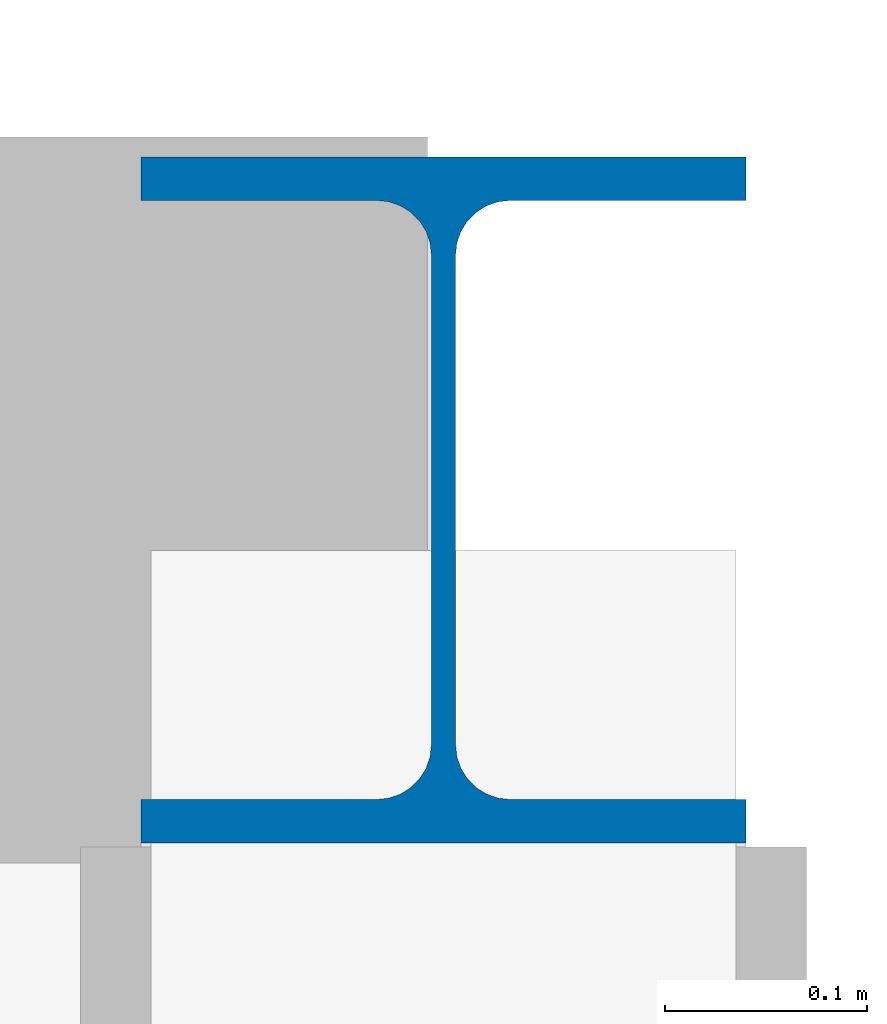
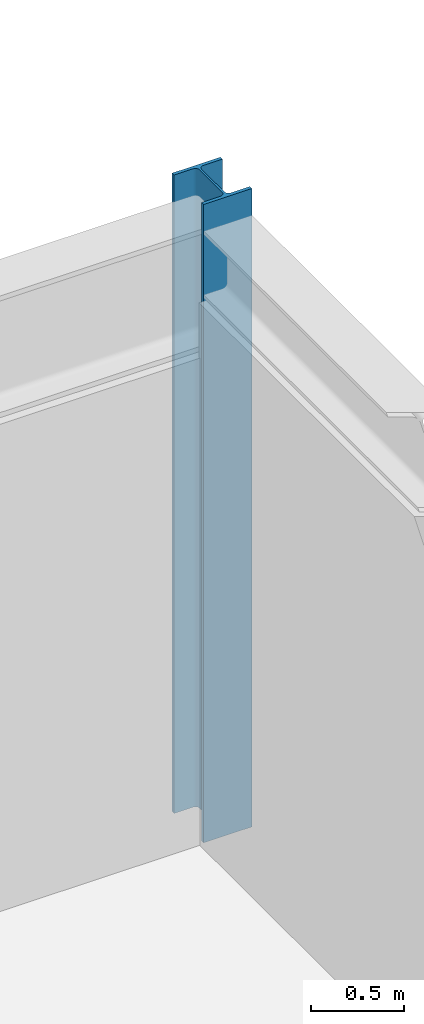
# One storey, part 11 of 76: 1 column.
"""IFC4 building model written with IfcOpenShell, lengths in metres."""

import ifcopenshell
import ifcopenshell.guid

model = None  # the IFC model being written
_history = None  # IfcOwnerHistory: only IFC2X3 demands one
_inside = {}  # id of a spatial element -> (the spatial element, [elements in it])
_under = {}  # id of a project, library or spatial element -> (it, [spatial elements below it])
_declared = {}  # id of a project -> (the project, [libraries it declares])
_typed = {}  # id of a type object -> (the type object, [elements of that type])
_made_of = {}  # id of a material, layer set ... -> (it, [elements and type objects made of it])


def new_model(schema):
    """Start an empty IFC model of exactly this schema.

    Asked for "IFC4X3", IfcOpenShell would pick the latest addendum, in which some entities
    have other attributes; the version numbers below select the first issue.
    IFC2X3 requires an IfcOwnerHistory on every rooted entity: one is made here for all.
    """
    global model, _history
    if schema == "IFC4X3":
        model = ifcopenshell.file(schema_version=(4, 3, 0, 0))
    else:
        model = ifcopenshell.file(schema=schema)
    _inside.clear()
    _under.clear()
    _declared.clear()
    _typed.clear()
    _made_of.clear()
    _history = None
    if model.schema == "IFC2X3":
        org = make("IfcOrganization", Name="unknown")
        user = make(
            "IfcPersonAndOrganization",
            ThePerson=make("IfcPerson", FamilyName="unknown"),
            TheOrganization=org,
        )
        app = make(
            "IfcApplication",
            ApplicationDeveloper=org,
            Version="unknown",
            ApplicationFullName="unknown",
            ApplicationIdentifier="unknown",
        )
        _history = make(
            "IfcOwnerHistory",
            OwningUser=user,
            OwningApplication=app,
            ChangeAction="ADDED",
            CreationDate=0,
        )
    return model


def make(cls, **values):
    """One entity of the class cls with the attributes given. An attribute that is None is left unset."""
    return model.create_entity(
        cls, **{name: value for name, value in values.items() if value is not None}
    )


def rooted(cls, **values):
    """An entity with a GlobalId (a new one), such as an element, a storey or a relation."""
    return make(cls, GlobalId=ifcopenshell.guid.new(), OwnerHistory=_history, **values)


def si_unit(unit_type, name, prefix=None):
    """IfcSIUnit, for example si_unit("LENGTHUNIT", "METRE", prefix="MILLI")."""
    return make("IfcSIUnit", UnitType=unit_type, Prefix=prefix, Name=name)


def assignment(units):
    """IfcUnitAssignment: the units of a project."""
    return None if units is None else make("IfcUnitAssignment", Units=units)


def point(xyz):
    """IfcCartesianPoint."""
    return None if xyz is None else make("IfcCartesianPoint", Coordinates=xyz)


def direction(xyz):
    """IfcDirection."""
    return None if xyz is None else make("IfcDirection", DirectionRatios=xyz)


def frame(location, z_axis=None, x_axis=None):
    """IfcAxis2Placement3D, a coordinate frame: its origin and axes. An axis left out is left unset."""
    return make(
        "IfcAxis2Placement3D",
        Location=point(location),
        Axis=direction(z_axis),
        RefDirection=direction(x_axis),
    )


def frame_2d(location, x_axis=None):
    """IfcAxis2Placement2D, a coordinate frame in the plane: its origin and x axis."""
    return make(
        "IfcAxis2Placement2D", Location=point(location), RefDirection=direction(x_axis)
    )


def origin():
    """The frame at (0, 0, 0) with its axes left unset."""
    return frame((0.0, 0.0, 0.0))


def origin_2d():
    """The frame at (0, 0) in the plane with its x axis left unset."""
    return frame_2d((0.0, 0.0))


def place(relative_to, where):
    """IfcLocalPlacement: puts the frame where relative to a parent placement (None: the world)."""
    return make(
        "IfcLocalPlacement", PlacementRelTo=relative_to, RelativePlacement=where
    )


def context(
    kind, dimensions, precision=None, world=None, true_north=None, identifier=None
):
    """IfcGeometricRepresentationContext, for example the 3D "Model" context."""
    return make(
        "IfcGeometricRepresentationContext",
        ContextIdentifier=identifier,
        ContextType=kind,
        CoordinateSpaceDimension=dimensions,
        Precision=precision,
        WorldCoordinateSystem=world,
        TrueNorth=true_north,
    )


def subcontext(parent, identifier, kind, view, scale=None):
    """IfcGeometricRepresentationSubContext, for example "Body" below "Model"."""
    return make(
        "IfcGeometricRepresentationSubContext",
        ContextIdentifier=identifier,
        ContextType=kind,
        ParentContext=parent,
        TargetScale=scale,
        TargetView=view,
    )


def project(units=None, contexts=None):
    """IfcProject with its units and contexts."""
    return rooted(
        "IfcProject",
        Name="project",
        RepresentationContexts=contexts,
        UnitsInContext=assignment(units),
    )


def spatial(cls, under=None, at=None, **own):
    """A site, building, storey or space (cls), placed at a placement, below another one or the project."""
    s = rooted(cls, ObjectPlacement=at, **own)
    if under is not None:
        _under.setdefault(under.id(), (under, []))[1].append(s)
    return s


def profile(cls, at=None, kind="AREA", **sizes):
    """A parametric profile (cls). Its sizes go by their IFC names, for example OverallWidth=200.0."""
    return make(cls, ProfileType=kind, Position=at, **sizes)


def i_section(**sizes):
    """IfcIShapeProfileDef."""
    return profile("IfcIShapeProfileDef", **sizes)


def extrude(swept, where, along, depth):
    """IfcExtrudedAreaSolid: the profile swept, set in the frame where, extruded along a direction by depth."""
    return make(
        "IfcExtrudedAreaSolid",
        SweptArea=swept,
        Position=where,
        ExtrudedDirection=direction(along),
        Depth=depth,
    )


def shape(context_of_items, identifier, shape_type, items):
    """IfcShapeRepresentation: the items that make up one representation, for example the "Body"."""
    return make(
        "IfcShapeRepresentation",
        ContextOfItems=context_of_items,
        RepresentationIdentifier=identifier,
        RepresentationType=shape_type,
        Items=items,
    )


def material(Name=None, Category=None):
    """IfcMaterial."""
    return make("IfcMaterial", Name=Name, Category=Category)


def material_profile(
    of_material, cross_section, Name=None, Category=None, Priority=None
):
    """IfcMaterialProfile: a cross section and its material."""
    return make(
        "IfcMaterialProfile",
        Name=Name,
        Material=of_material,
        Profile=cross_section,
        Priority=Priority,
        Category=Category,
    )


def profile_set(profiles, Name=None, composite=None):
    """IfcMaterialProfileSet."""
    return make(
        "IfcMaterialProfileSet",
        Name=Name,
        MaterialProfiles=profiles,
        CompositeProfile=composite,
    )


def made_of(thing, what):
    """Note that an element or type object is made of a material, layer set ...; save() writes the relation."""
    if what is not None:
        _made_of.setdefault(what.id(), (what, []))[1].append(thing)
    return thing


def type_object(cls, material=None, **own):
    """A type object (cls), such as IfcWallType, which elements share."""
    return made_of(rooted(cls, **own), material)


def element(
    cls,
    number,
    at=None,
    inside=None,
    cuts=None,
    type_object=None,
    material=None,
    context=None,
    identifier="Body",
    shape_type=None,
    held_by="IfcProductDefinitionShape",
    body=None,
    shapes=None,
    **own,
):
    """One element of the class cls, such as IfcWall. Its Tag is "e" and its number.

    at: its placement. inside: the storey or other place that contains it. cuts: it is an
    opening in that element (IfcRelVoidsElement). A single representation is given by context,
    identifier, shape_type and body (its items); several are given by shapes. held_by: the class
    of the entity that holds the representations. save() writes the other relations.
    """
    e = rooted(cls, Tag="e%d" % number, ObjectPlacement=at, **own)
    if body is not None:
        shapes = [shape(context, identifier, shape_type, body)]
    if shapes is not None:
        e.Representation = make(held_by, Representations=shapes)
    if inside is not None:
        _inside.setdefault(inside.id(), (inside, []))[1].append(e)
    if cuts is not None:
        rooted(
            "IfcRelVoidsElement", RelatingBuildingElement=cuts, RelatedOpeningElement=e
        )
    if type_object is not None:
        _typed.setdefault(type_object.id(), (type_object, []))[1].append(e)
    return made_of(e, material)


def aggregate(whole, parts):
    """IfcRelAggregates: a whole, such as a stair, and the parts it consists of."""
    return rooted("IfcRelAggregates", RelatingObject=whole, RelatedObjects=parts)


def save(model, path):
    """Write the relations noted so far, then the file.

    IfcRelAggregates (storeys below a building ...), IfcRelContainedInSpatialStructure (elements
    in a storey), IfcRelDefinesByType, IfcRelAssociatesMaterial and IfcRelDeclares: one each for
    every whole, place, type object, material and project.
    """
    for whole, parts in _under.values():
        aggregate(whole, parts)
    for where, things in _inside.values():
        rooted(
            "IfcRelContainedInSpatialStructure",
            RelatedElements=things,
            RelatingStructure=where,
        )
    for kind, things in _typed.values():
        rooted("IfcRelDefinesByType", RelatedObjects=things, RelatingType=kind)
    for what, things in _made_of.values():
        rooted("IfcRelAssociatesMaterial", RelatedObjects=things, RelatingMaterial=what)
    for by, libraries in _declared.values():
        rooted("IfcRelDeclares", RelatingContext=by, RelatedDefinitions=libraries)
    model.write(path)


model = new_model("IFC4")

# Units and contexts
model_context = context("Model", 3, precision=1e-05, world=origin(), true_north=direction((0.0, 1.0)))
body_context = subcontext(model_context, "Body", "Model", "MODEL_VIEW")
ifc_project = project(units=[si_unit("LENGTHUNIT", "METRE"), si_unit("AREAUNIT", "SQUARE_METRE"), si_unit("VOLUMEUNIT", "CUBIC_METRE"), si_unit("PLANEANGLEUNIT", "RADIAN"), si_unit("MASSUNIT", "GRAM", prefix="KILO")], contexts=[model_context])

# Site, building, storey
site_placement = place(None, origin())
site = spatial("IfcSite", under=ifc_project, at=site_placement, CompositionType="ELEMENT")
building_placement = place(site_placement, origin())
building = spatial("IfcBuilding", under=site, at=building_placement, Name="Nordkorset Police Headquarters", CompositionType="ELEMENT")
storey_placement = place(building_placement, frame((0.0, 0.0, 13.64990234375)))
storey = spatial("IfcBuildingStorey", under=building, at=storey_placement, Name="L03", CompositionType="ELEMENT", Elevation=13.64990234375)

# Column
ifc_material = material(Name="Steel S355J2", Category="steel")
ifc_material_profile = material_profile(ifc_material, i_section(OverallWidth=0.300048828125, OverallDepth=0.340087890625, WebThickness=0.011962890625, FlangeThickness=0.021484375, FilletRadius=0.027099609375, at=origin_2d()), Name="HEB 340")
ifc_profile_set = profile_set([ifc_material_profile], Name="Steel S355J2")
column_type = type_object("IfcColumnType", Name="Col_HEB_340", PredefinedType="COLUMN", material=ifc_profile_set)
column_placement = place(storey_placement, frame((115.199951171875, 97.60009765625, 0.0), z_axis=(0.0, 0.0, 1.0), x_axis=(1.0, 0.0, 0.0)))
element("IfcColumn", 1, at=column_placement, inside=storey, type_object=column_type, Name="Structural Column V5_X2_5 L03", PredefinedType="COLUMN", context=body_context, shape_type="SweptSolid", body=[
    extrude(i_section(OverallWidth=0.300048828125, OverallDepth=0.340087890625, WebThickness=0.011962890625, FlangeThickness=0.021484375, FilletRadius=0.027099609375, at=origin_2d()), origin(), (0.0, 0.0, 1.0), 4.2001953125),
])

save(model, "model.ifc")
